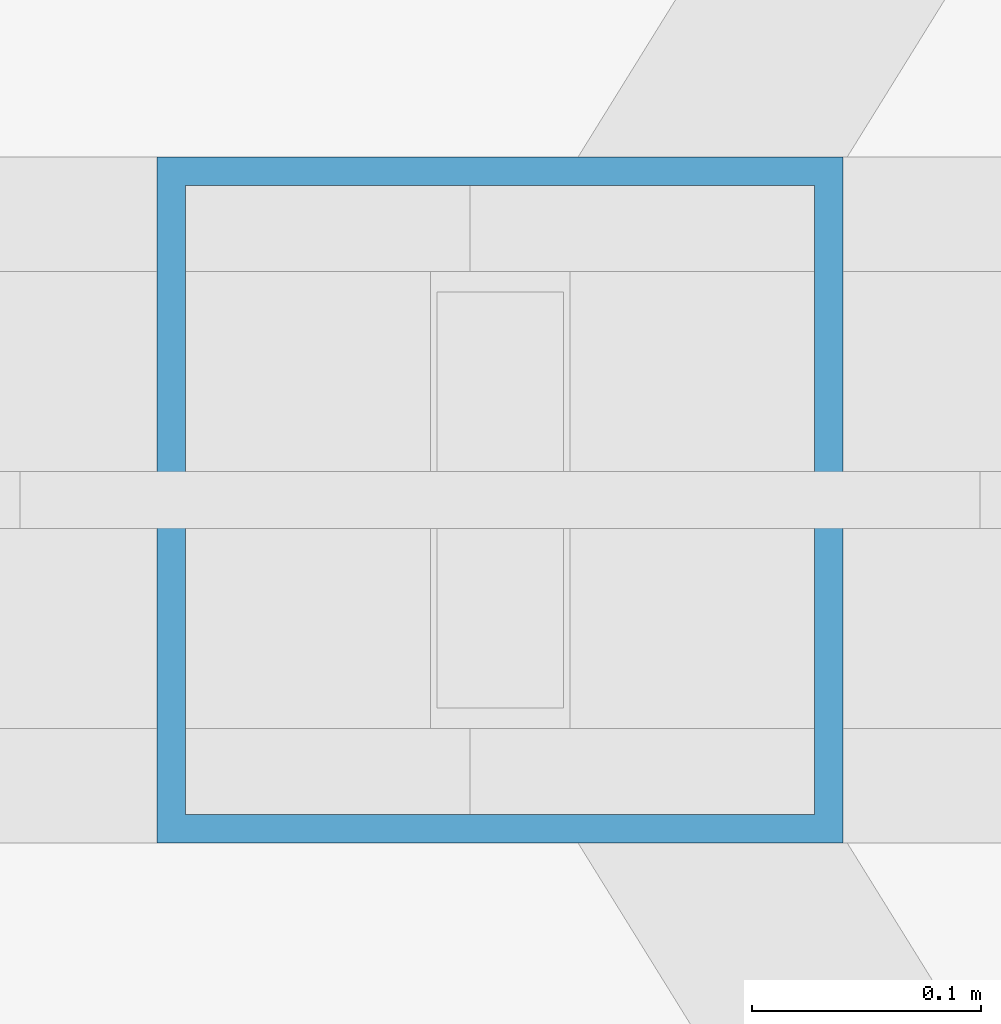
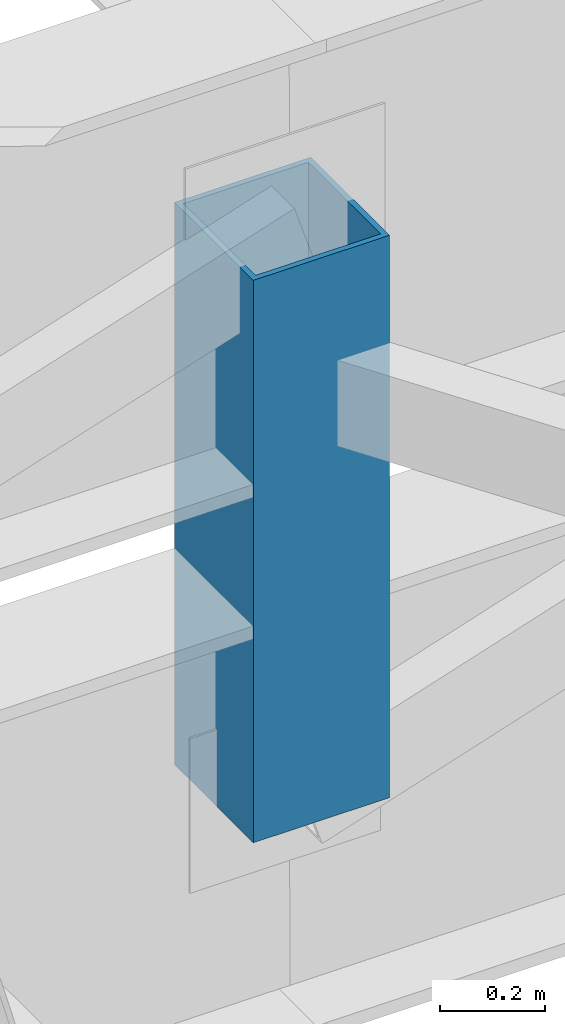
# One storey, part 15 of 184: 1 member.
"""IFC4 building model written with IfcOpenShell, lengths in metres."""

from ifc_helpers import new_model, si_unit, direction, frame, origin, origin_2d, place, context, subcontext, project, spatial, hollow_rectangle, extrude, material, material_profile, profile_set, type_object, element, save


model = new_model("IFC4")

# Units and contexts
model_context = context("Model", 3, precision=1e-05, world=origin(), true_north=direction((0.0, 1.0)))
body_context = subcontext(model_context, "Body", "Model", "MODEL_VIEW")
ifc_project = project(units=[si_unit("LENGTHUNIT", "METRE"), si_unit("AREAUNIT", "SQUARE_METRE"), si_unit("VOLUMEUNIT", "CUBIC_METRE"), si_unit("PLANEANGLEUNIT", "RADIAN"), si_unit("MASSUNIT", "GRAM", prefix="KILO")], contexts=[model_context])

# Site, building, storey
site_placement = place(None, origin())
site = spatial("IfcSite", under=ifc_project, at=site_placement, CompositionType="ELEMENT")
building_placement = place(site_placement, origin())
building = spatial("IfcBuilding", under=site, at=building_placement, Name="Kalgoora Escarpment Arena", CompositionType="ELEMENT")
storey_placement = place(building_placement, frame((0.0, 0.0, 27.60009765625)))
storey = spatial("IfcBuildingStorey", under=building, at=storey_placement, Name="Roof Level", CompositionType="ELEMENT", Elevation=27.60009765625)

# Member
ifc_material = material(Name="Structural steel C450 (450 MPa)", Category="steel")
ifc_material_profile = material_profile(ifc_material, hollow_rectangle(XDim=0.300048828125, YDim=0.300048828125, WallThickness=0.012451171875, at=origin_2d()))
ifc_profile_set = profile_set([ifc_material_profile], Name="Structural steel C450 (450 MPa)")
member_type = type_object("IfcMemberType", Name="MEM-TRUSS-POST", PredefinedType="POST", material=ifc_profile_set)
member_placement = place(storey_placement, frame((56.0, 64.0, -1.64013671875), z_axis=(0.0, 0.0, 1.0), x_axis=(1.0, 0.0, 0.0)))
element("IfcMember", 1, at=member_placement, inside=storey, type_object=member_type, Name="Radial ROOF TRUSS spine 5 post 3", PredefinedType="POST", context=body_context, shape_type="SweptSolid", body=[
    extrude(hollow_rectangle(XDim=0.300048828125, YDim=0.300048828125, WallThickness=0.012451171875, at=origin_2d()), origin(), (0.0, 0.0, 1.0), 1.31005859375),
])

save(model, "model.ifc")
